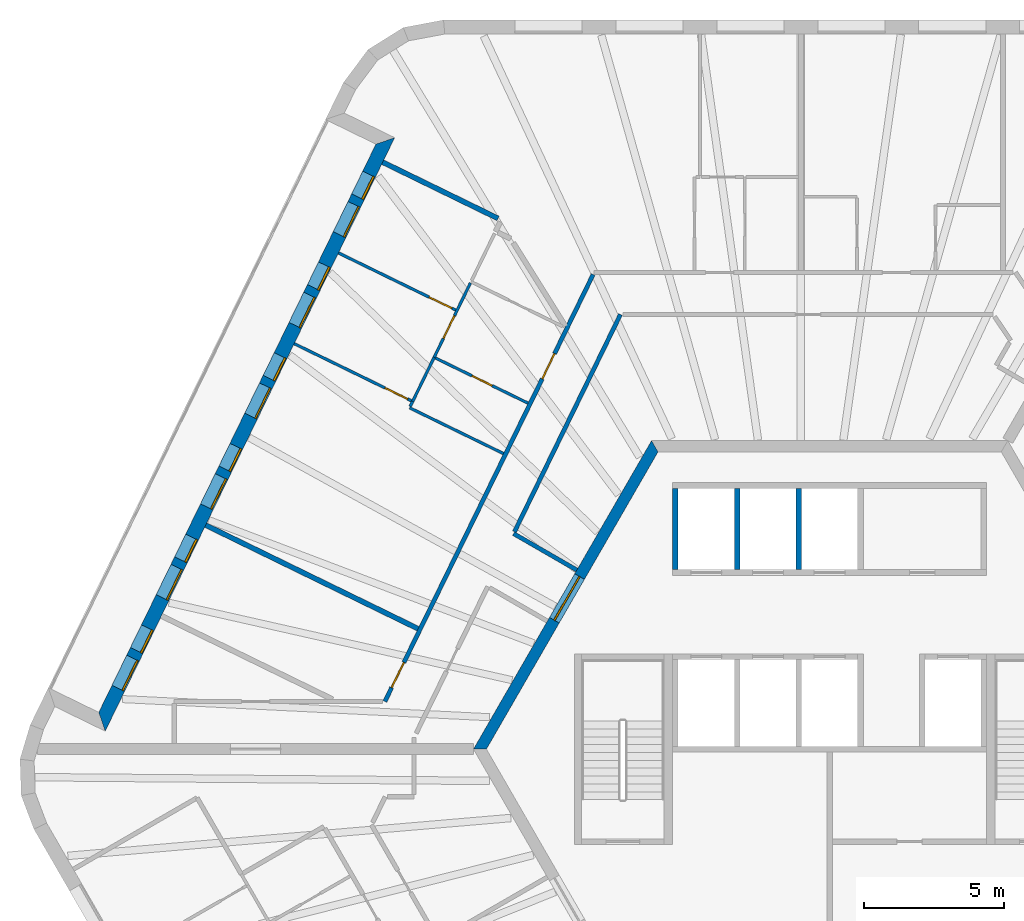
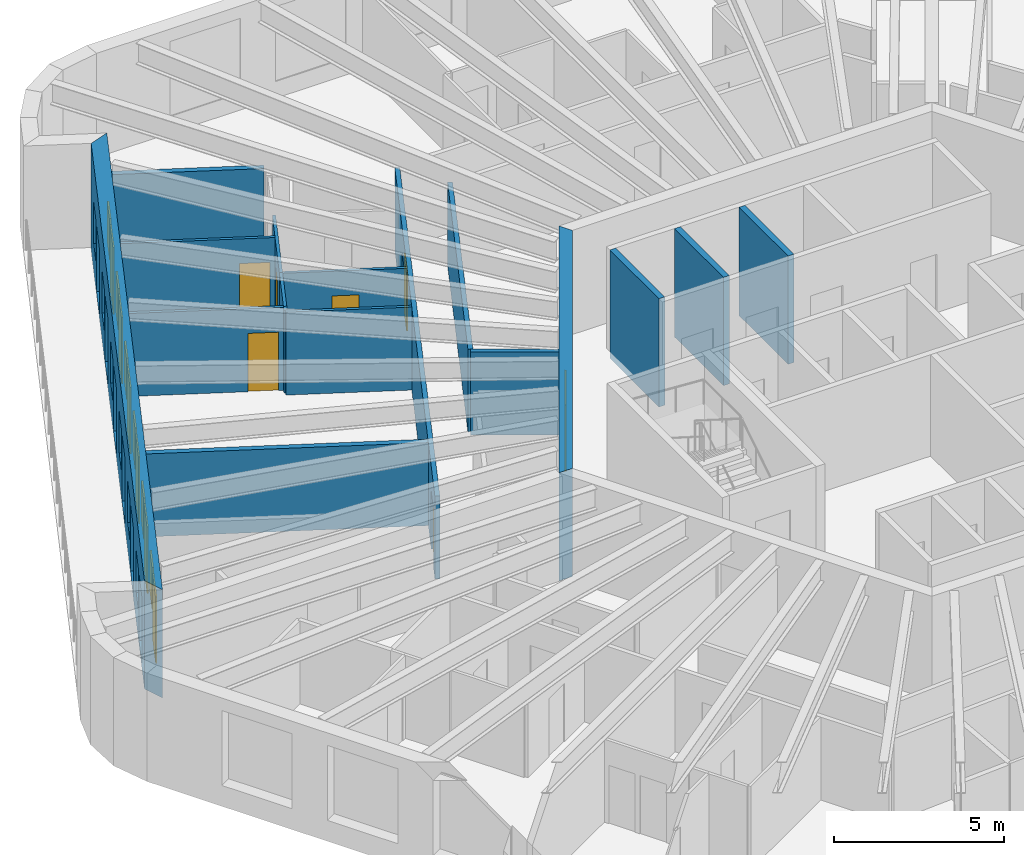
# One storey, part 8 of 12: 17 walls, 13 doors, 6 windows, 19 openings.
"""IFC4 building model written with IfcOpenShell, lengths in metres."""

import ifcopenshell
import ifcopenshell.guid

model = None  # the IFC model being written
_history = None  # IfcOwnerHistory: only IFC2X3 demands one
_inside = {}  # id of a spatial element -> (the spatial element, [elements in it])
_under = {}  # id of a project, library or spatial element -> (it, [spatial elements below it])
_declared = {}  # id of a project -> (the project, [libraries it declares])
_typed = {}  # id of a type object -> (the type object, [elements of that type])
_made_of = {}  # id of a material, layer set ... -> (it, [elements and type objects made of it])


def new_model(schema):
    """Start an empty IFC model of exactly this schema.

    Asked for "IFC4X3", IfcOpenShell would pick the latest addendum, in which some entities
    have other attributes; the version numbers below select the first issue.
    IFC2X3 requires an IfcOwnerHistory on every rooted entity: one is made here for all.
    """
    global model, _history
    if schema == "IFC4X3":
        model = ifcopenshell.file(schema_version=(4, 3, 0, 0))
    else:
        model = ifcopenshell.file(schema=schema)
    _inside.clear()
    _under.clear()
    _declared.clear()
    _typed.clear()
    _made_of.clear()
    _history = None
    if model.schema == "IFC2X3":
        org = make("IfcOrganization", Name="unknown")
        user = make(
            "IfcPersonAndOrganization",
            ThePerson=make("IfcPerson", FamilyName="unknown"),
            TheOrganization=org,
        )
        app = make(
            "IfcApplication",
            ApplicationDeveloper=org,
            Version="unknown",
            ApplicationFullName="unknown",
            ApplicationIdentifier="unknown",
        )
        _history = make(
            "IfcOwnerHistory",
            OwningUser=user,
            OwningApplication=app,
            ChangeAction="ADDED",
            CreationDate=0,
        )
    return model


def make(cls, **values):
    """One entity of the class cls with the attributes given. An attribute that is None is left unset."""
    return model.create_entity(
        cls, **{name: value for name, value in values.items() if value is not None}
    )


def rooted(cls, **values):
    """An entity with a GlobalId (a new one), such as an element, a storey or a relation."""
    return make(cls, GlobalId=ifcopenshell.guid.new(), OwnerHistory=_history, **values)


def si_unit(unit_type, name, prefix=None):
    """IfcSIUnit, for example si_unit("LENGTHUNIT", "METRE", prefix="MILLI")."""
    return make("IfcSIUnit", UnitType=unit_type, Prefix=prefix, Name=name)


def assignment(units):
    """IfcUnitAssignment: the units of a project."""
    return None if units is None else make("IfcUnitAssignment", Units=units)


def point(xyz):
    """IfcCartesianPoint."""
    return None if xyz is None else make("IfcCartesianPoint", Coordinates=xyz)


def direction(xyz):
    """IfcDirection."""
    return None if xyz is None else make("IfcDirection", DirectionRatios=xyz)


def frame(location, z_axis=None, x_axis=None):
    """IfcAxis2Placement3D, a coordinate frame: its origin and axes. An axis left out is left unset."""
    return make(
        "IfcAxis2Placement3D",
        Location=point(location),
        Axis=direction(z_axis),
        RefDirection=direction(x_axis),
    )


def frame_2d(location, x_axis=None):
    """IfcAxis2Placement2D, a coordinate frame in the plane: its origin and x axis."""
    return make(
        "IfcAxis2Placement2D", Location=point(location), RefDirection=direction(x_axis)
    )


def origin():
    """The frame at (0, 0, 0) with its axes left unset."""
    return frame((0.0, 0.0, 0.0))


def place(relative_to, where):
    """IfcLocalPlacement: puts the frame where relative to a parent placement (None: the world)."""
    return make(
        "IfcLocalPlacement", PlacementRelTo=relative_to, RelativePlacement=where
    )


def context(
    kind, dimensions, precision=None, world=None, true_north=None, identifier=None
):
    """IfcGeometricRepresentationContext, for example the 3D "Model" context."""
    return make(
        "IfcGeometricRepresentationContext",
        ContextIdentifier=identifier,
        ContextType=kind,
        CoordinateSpaceDimension=dimensions,
        Precision=precision,
        WorldCoordinateSystem=world,
        TrueNorth=true_north,
    )


def subcontext(parent, identifier, kind, view, scale=None):
    """IfcGeometricRepresentationSubContext, for example "Body" below "Model"."""
    return make(
        "IfcGeometricRepresentationSubContext",
        ContextIdentifier=identifier,
        ContextType=kind,
        ParentContext=parent,
        TargetScale=scale,
        TargetView=view,
    )


def project(units=None, contexts=None):
    """IfcProject with its units and contexts."""
    return rooted(
        "IfcProject",
        Name="project",
        RepresentationContexts=contexts,
        UnitsInContext=assignment(units),
    )


def spatial(cls, under=None, at=None, **own):
    """A site, building, storey or space (cls), placed at a placement, below another one or the project."""
    s = rooted(cls, ObjectPlacement=at, **own)
    if under is not None:
        _under.setdefault(under.id(), (under, []))[1].append(s)
    return s


def polyline(points):
    """IfcPolyline through the points."""
    return make("IfcPolyline", Points=[point(p) for p in points])


def profile(cls, at=None, kind="AREA", **sizes):
    """A parametric profile (cls). Its sizes go by their IFC names, for example OverallWidth=200.0."""
    return make(cls, ProfileType=kind, Position=at, **sizes)


def rectangle(**sizes):
    """IfcRectangleProfileDef."""
    return profile("IfcRectangleProfileDef", **sizes)


def outline(outer, holes=None, kind="AREA"):
    """IfcArbitraryClosedProfileDef: a profile drawn as a closed curve; with holes, ...WithVoids."""
    if holes is None:
        return make("IfcArbitraryClosedProfileDef", ProfileType=kind, OuterCurve=outer)
    return make(
        "IfcArbitraryProfileDefWithVoids",
        ProfileType=kind,
        OuterCurve=outer,
        InnerCurves=holes,
    )


def extrude(swept, where, along, depth):
    """IfcExtrudedAreaSolid: the profile swept, set in the frame where, extruded along a direction by depth."""
    return make(
        "IfcExtrudedAreaSolid",
        SweptArea=swept,
        Position=where,
        ExtrudedDirection=direction(along),
        Depth=depth,
    )


def shape(context_of_items, identifier, shape_type, items):
    """IfcShapeRepresentation: the items that make up one representation, for example the "Body"."""
    return make(
        "IfcShapeRepresentation",
        ContextOfItems=context_of_items,
        RepresentationIdentifier=identifier,
        RepresentationType=shape_type,
        Items=items,
    )


def material(Name=None, Category=None):
    """IfcMaterial."""
    return make("IfcMaterial", Name=Name, Category=Category)


def layer(
    of_material, thickness, ventilated=None, Name=None, Category=None, Priority=None
):
    """IfcMaterialLayer: one layer of a wall or slab, of a material (None: an air gap)."""
    return make(
        "IfcMaterialLayer",
        Material=of_material,
        LayerThickness=thickness,
        IsVentilated=ventilated,
        Name=Name,
        Category=Category,
        Priority=Priority,
    )


def layer_set(layers, Name=None):
    """IfcMaterialLayerSet."""
    return make("IfcMaterialLayerSet", MaterialLayers=layers, LayerSetName=Name)


def made_of(thing, what):
    """Note that an element or type object is made of a material, layer set ...; save() writes the relation."""
    if what is not None:
        _made_of.setdefault(what.id(), (what, []))[1].append(thing)
    return thing


def type_object(cls, material=None, **own):
    """A type object (cls), such as IfcWallType, which elements share."""
    return made_of(rooted(cls, **own), material)


def element(
    cls,
    number,
    at=None,
    inside=None,
    cuts=None,
    type_object=None,
    material=None,
    context=None,
    identifier="Body",
    shape_type=None,
    held_by="IfcProductDefinitionShape",
    body=None,
    shapes=None,
    **own,
):
    """One element of the class cls, such as IfcWall. Its Tag is "e" and its number.

    at: its placement. inside: the storey or other place that contains it. cuts: it is an
    opening in that element (IfcRelVoidsElement). A single representation is given by context,
    identifier, shape_type and body (its items); several are given by shapes. held_by: the class
    of the entity that holds the representations. save() writes the other relations.
    """
    e = rooted(cls, Tag="e%d" % number, ObjectPlacement=at, **own)
    if body is not None:
        shapes = [shape(context, identifier, shape_type, body)]
    if shapes is not None:
        e.Representation = make(held_by, Representations=shapes)
    if inside is not None:
        _inside.setdefault(inside.id(), (inside, []))[1].append(e)
    if cuts is not None:
        rooted(
            "IfcRelVoidsElement", RelatingBuildingElement=cuts, RelatedOpeningElement=e
        )
    if type_object is not None:
        _typed.setdefault(type_object.id(), (type_object, []))[1].append(e)
    return made_of(e, material)


def fill(opening, filler):
    """IfcRelFillsElement: the door or window that sits in an opening."""
    return rooted(
        "IfcRelFillsElement",
        RelatingOpeningElement=opening,
        RelatedBuildingElement=filler,
    )


def aggregate(whole, parts):
    """IfcRelAggregates: a whole, such as a stair, and the parts it consists of."""
    return rooted("IfcRelAggregates", RelatingObject=whole, RelatedObjects=parts)


def save(model, path):
    """Write the relations noted so far, then the file.

    IfcRelAggregates (storeys below a building ...), IfcRelContainedInSpatialStructure (elements
    in a storey), IfcRelDefinesByType, IfcRelAssociatesMaterial and IfcRelDeclares: one each for
    every whole, place, type object, material and project.
    """
    for whole, parts in _under.values():
        aggregate(whole, parts)
    for where, things in _inside.values():
        rooted(
            "IfcRelContainedInSpatialStructure",
            RelatedElements=things,
            RelatingStructure=where,
        )
    for kind, things in _typed.values():
        rooted("IfcRelDefinesByType", RelatedObjects=things, RelatingType=kind)
    for what, things in _made_of.values():
        rooted("IfcRelAssociatesMaterial", RelatedObjects=things, RelatingMaterial=what)
    for by, libraries in _declared.values():
        rooted("IfcRelDeclares", RelatingContext=by, RelatedDefinitions=libraries)
    model.write(path)


model = new_model("IFC4")

# Units and contexts
model_context = context("Model", 3, precision=1e-05, world=origin(), true_north=direction((0.0, 1.0)))
body_context = subcontext(model_context, "Body", "Model", "MODEL_VIEW")
ifc_project = project(units=[si_unit("LENGTHUNIT", "METRE"), si_unit("AREAUNIT", "SQUARE_METRE"), si_unit("VOLUMEUNIT", "CUBIC_METRE"), si_unit("PLANEANGLEUNIT", "RADIAN"), si_unit("MASSUNIT", "GRAM", prefix="KILO")], contexts=[model_context])

# Site, building, storey
site_placement = place(None, origin())
site = spatial("IfcSite", under=ifc_project, at=site_placement, CompositionType="ELEMENT")
building_placement = place(site_placement, origin())
building = spatial("IfcBuilding", under=site, at=building_placement, Name="Tarnside Tower", CompositionType="ELEMENT")
storey_placement = place(building_placement, frame((0.0, 0.0, 295.199951171875)))
storey = spatial("IfcBuildingStorey", under=building, at=storey_placement, Name="L71", CompositionType="ELEMENT", Elevation=295.199951171875)

# Walls
ifc_material_1 = material(Name="Gypsum board partition on steel studs", Category="steel")
ifc_layer_1 = layer(ifc_material_1, 0.10009765625)
ifc_layer_set_1 = layer_set([ifc_layer_1], Name="Bathroom wall 100")
wall_type_1 = type_object("IfcWallType", Name="Bathroom wall 100", PredefinedType="PARTITIONING", material=ifc_layer_set_1)
wall_1_placement = place(storey_placement, frame((-11.63232421875, 10.538818359375, 0.0), z_axis=(0.0, 0.0, 1.0), x_axis=(-0.898775374511, 0.438409427558, 0.0)))
element("IfcWall", 1, at=wall_1_placement, inside=storey, type_object=wall_type_1, Name="Bathroom wall 23100", PredefinedType="PARTITIONING", context=body_context, shape_type="SweptSolid", body=[
    extrude(rectangle(XDim=3.724853515625, YDim=0.10009765625, at=frame_2d((1.8623046875, 0.0))), origin(), (0.0, 0.0, 1.0), 2.98779296875),
])
wall_2_placement = place(storey_placement, frame((-14.95849609375, 12.216796875, 0.0), z_axis=(0.0, 0.0, 1.0), x_axis=(0.438565276448, 0.898699336983, 0.0)))
element("IfcWall", 2, at=wall_2_placement, inside=storey, type_object=wall_type_1, Name="Bathroom wall 23101", PredefinedType="PARTITIONING", context=body_context, shape_type="SweptSolid", body=[
    extrude(rectangle(XDim=0.203857421875, YDim=0.10009765625, at=frame_2d((0.10205078125, 0.0))), origin(), (0.0, 0.0, 1.0), 2.98779296875),
])

# Wall, opening, door
wall_3_placement = place(storey_placement, frame((-14.103515625, 13.969482421875, 0.0), z_axis=(0.0, 0.0, 1.0), x_axis=(0.898775374511, -0.438409427558, 0.0)))
wall_3 = element("IfcWall", 3, at=wall_3_placement, inside=storey, type_object=wall_type_1, Name="Bathroom wall 23104", PredefinedType="PARTITIONING", context=body_context, shape_type="SweptSolid", body=[
    extrude(rectangle(XDim=3.724853515625, YDim=0.10009765625, at=frame_2d((1.8623046875, 0.0))), origin(), (0.0, 0.0, 1.0), 2.98779296875),
])
opening_1_placement = place(wall_3_placement, frame((1.5, 0.0, 0.0)))
opening_1 = element("IfcOpeningElement", 4, at=opening_1_placement, cuts=wall_3, Name="Opening D-B1", PredefinedType="OPENING", context=body_context, shape_type="SweptSolid", body=[
    extrude(rectangle(XDim=0.800048828125, YDim=2.10009765625, at=frame_2d((0.39990234375, 1.050048828125))), frame((0.0, 0.06005859375, 0.0), z_axis=(0.0, -1.0, 0.0), x_axis=(1.0, 0.0, 0.0)), (0.0, 0.0, 1.0), 0.1201171875),
])
ifc_material_2 = material(Name="Timber door leaf", Category="wood")
door_type_1 = type_object("IfcDoorType", Name="Bathroom door 800", OperationType="NOTDEFINED", PredefinedType="DOOR", material=ifc_material_2)
door_1_placement = place(opening_1_placement, origin())
door_1 = element("IfcDoor", 5, at=door_1_placement, inside=storey, type_object=door_type_1, Name="Bathroom door 23010", OperationType="SINGLE_SWING_LEFT", OverallHeight=2.10009765625, OverallWidth=0.800048828125, PredefinedType="DOOR", context=body_context, shape_type="SweptSolid", body=[
    extrude(rectangle(XDim=0.800048828125, YDim=2.10009765625, at=frame_2d((0.39990234375, 1.050048828125))), frame((0.0, 0.02490234375, 0.0), z_axis=(0.0, -1.0, 0.0), x_axis=(1.0, 0.0, 0.0)), (0.0, 0.0, 1.0), 0.050048828125),
])
fill(opening_1, door_1)

# Wall
wall_4_placement = place(storey_placement, frame((-14.102783203125, 13.97119140625, 0.0), z_axis=(0.0, 0.0, 1.0), x_axis=(-0.43826423199, -0.89884618426, 0.0)))
element("IfcWall", 6, at=wall_4_placement, inside=storey, type_object=wall_type_1, Name="Bathroom wall 23108", PredefinedType="PARTITIONING", context=body_context, shape_type="SweptSolid", body=[
    extrude(rectangle(XDim=1.750244140625, YDim=0.10009765625, at=frame_2d((0.875, 0.0))), origin(), (0.0, 0.0, 1.0), 2.98779296875),
])

# Wall, opening, door
ifc_material_3 = material(Name="Concrete C60/75", Category="concrete")
ifc_layer_2 = layer(ifc_material_3, 0.39990234375)
ifc_layer_set_2 = layer_set([ifc_layer_2], Name="Core wall Z3 400 C60/75")
wall_type_2 = type_object("IfcWallType", Name="Core wall Z3 400 C60/75", PredefinedType="SHEAR", material=ifc_layer_set_2)
wall_5_placement = place(storey_placement, frame((-6.2353515625, 10.800048828125, -0.14990234375), z_axis=(0.0, 0.0, 1.0), x_axis=(-0.499996419489, -0.866027470984, 0.0)))
wall_5 = element("IfcWall", 7, at=wall_5_placement, inside=storey, type_object=wall_type_2, Name="L71 core wall face 2", PredefinedType="SHEAR", context=body_context, shape_type="SweptSolid", body=[
    extrude(outline(polyline([(-0.115478515625, -0.199951171875), (12.586181640625, -0.199951171875), (12.355224609375, 0.199951171875), (0.115478515625, 0.199951171875), (-0.115478515625, -0.199951171875)])), origin(), (0.0, 0.0, 1.0), 3.89990234375),
])
opening_2_placement = place(wall_5_placement, frame((5.3642578125, 0.0, 0.14990234375)))
opening_2 = element("IfcOpeningElement", 8, at=opening_2_placement, cuts=wall_5, Name="Opening CD-LOB", PredefinedType="OPENING", context=body_context, shape_type="SweptSolid", body=[
    extrude(rectangle(XDim=1.800048828125, YDim=2.39990234375, at=frame_2d((0.89990234375, 1.199951171875))), frame((0.0, 0.2099609375, 0.0), z_axis=(0.0, -1.0, 0.0), x_axis=(1.0, 0.0, 0.0)), (0.0, 0.0, 1.0), 0.419921875),
])
ifc_material_4 = material(Name="Steel fire door", Category="steel")
door_type_2 = type_object("IfcDoorType", Name="Lobby double door FD30S 1800x2400", OperationType="NOTDEFINED", PredefinedType="DOOR", material=ifc_material_4)
door_2_placement = place(opening_2_placement, origin())
door_2 = element("IfcDoor", 9, at=door_2_placement, inside=storey, type_object=door_type_2, Name="L71 core door P1", OperationType="DOUBLE_DOOR_SINGLE_SWING", OverallHeight=2.39990234375, OverallWidth=1.800048828125, PredefinedType="DOOR", context=body_context, shape_type="SweptSolid", body=[
    extrude(rectangle(XDim=1.800048828125, YDim=2.39990234375, at=frame_2d((0.89990234375, 1.199951171875))), frame((0.0, 0.02490234375, 0.0), z_axis=(0.0, -1.0, 0.0), x_axis=(1.0, 0.0, 0.0)), (0.0, 0.0, 1.0), 0.050048828125),
])
fill(opening_2, door_2)

# Wall, openings, doors
ifc_layer_3 = layer(ifc_material_1, 0.14990234375)
ifc_layer_set_3 = layer_set([ifc_layer_3], Name="Corridor wall 150 EI 60")
wall_type_3 = type_object("IfcWallType", Name="Corridor wall 150 EI 60", PredefinedType="PARTITIONING", material=ifc_layer_set_3)
wall_6_placement = place(storey_placement, frame((-8.43408203125, 16.925048828125, 0.0), z_axis=(0.0, 0.0, 1.0), x_axis=(-0.438371383278, -0.898793930956, 0.0)))
wall_6 = element("IfcWall", 10, at=wall_6_placement, inside=storey, type_object=wall_type_3, Name="Corridor wall 23009", PredefinedType="PARTITIONING", context=body_context, shape_type="SweptSolid", body=[
    extrude(rectangle(XDim=16.939453125, YDim=0.14990234375, at=frame_2d((8.4697265625, 0.0))), origin(), (0.0, 0.0, 1.0), 2.98779296875),
])
opening_3_placement = place(wall_6_placement, frame((3.141845703125, 0.0, 0.0)))
opening_3 = element("IfcOpeningElement", 11, at=opening_3_placement, cuts=wall_6, Name="Opening D-E1", PredefinedType="OPENING", context=body_context, shape_type="SweptSolid", body=[
    extrude(rectangle(XDim=1.0, YDim=2.10009765625, at=frame_2d((0.5, 1.050048828125))), frame((0.0, 0.0849609375, 0.0), z_axis=(0.0, -1.0, 0.0), x_axis=(1.0, 0.0, 0.0)), (0.0, 0.0, 1.0), 0.169921875),
])
opening_4_placement = place(wall_6_placement, frame((15.39013671875, 0.0, 0.0)))
opening_4 = element("IfcOpeningElement", 12, at=opening_4_placement, cuts=wall_6, Name="Opening D-E1", PredefinedType="OPENING", context=body_context, shape_type="SweptSolid", body=[
    extrude(rectangle(XDim=1.0, YDim=2.10009765625, at=frame_2d((0.5, 1.050048828125))), frame((0.0, 0.0849609375, 0.0), z_axis=(0.0, -1.0, 0.0), x_axis=(1.0, 0.0, 0.0)), (0.0, 0.0, 1.0), 0.169921875),
])
door_type_3 = type_object("IfcDoorType", Name="Unit entrance door 1000 FD30S", OperationType="NOTDEFINED", PredefinedType="DOOR", material=ifc_material_2)
door_3_placement = place(opening_3_placement, origin())
door_3 = element("IfcDoor", 13, at=door_3_placement, inside=storey, type_object=door_type_3, Name="Unit door 23009", OperationType="SINGLE_SWING_LEFT", OverallHeight=2.10009765625, OverallWidth=1.0, PredefinedType="DOOR", context=body_context, shape_type="SweptSolid", body=[
    extrude(rectangle(XDim=1.0, YDim=2.10009765625, at=frame_2d((0.5, 1.050048828125))), frame((0.0, 0.02490234375, 0.0), z_axis=(0.0, -1.0, 0.0), x_axis=(1.0, 0.0, 0.0)), (0.0, 0.0, 1.0), 0.050048828125),
])
fill(opening_3, door_3)
door_4_placement = place(opening_4_placement, origin())
door_4 = element("IfcDoor", 14, at=door_4_placement, inside=storey, type_object=door_type_3, Name="Unit door 23020", OperationType="SINGLE_SWING_LEFT", OverallHeight=2.10009765625, OverallWidth=1.0, PredefinedType="DOOR", context=body_context, shape_type="SweptSolid", body=[
    extrude(rectangle(XDim=1.0, YDim=2.10009765625, at=frame_2d((0.5, 1.050048828125))), frame((0.0, 0.02490234375, 0.0), z_axis=(0.0, -1.0, 0.0), x_axis=(1.0, 0.0, 0.0)), (0.0, 0.0, 1.0), 0.050048828125),
])
fill(opening_4, door_4)

# Walls
wall_7_placement = place(storey_placement, frame((-9.015625, 6.38427734375, 0.0), z_axis=(0.0, 0.0, 1.0), x_axis=(-0.866031051173, 0.499990218309, 0.0)))
element("IfcWall", 15, at=wall_7_placement, inside=storey, type_object=wall_type_3, Name="Corridor wall 23019", PredefinedType="PARTITIONING", context=body_context, shape_type="SweptSolid", body=[
    extrude(rectangle(XDim=2.6044921875, YDim=0.14990234375, at=frame_2d((1.30224609375, 0.0))), origin(), (0.0, 0.0, 1.0), 2.98779296875),
])
wall_8_placement = place(storey_placement, frame((-11.23828125, 7.754150390625, 0.0), z_axis=(0.0, 0.0, 1.0), x_axis=(0.438387352899, 0.89878614187, 0.0)))
element("IfcWall", 16, at=wall_8_placement, inside=storey, type_object=wall_type_3, Name="Corridor wall 23020", PredefinedType="PARTITIONING", context=body_context, shape_type="SweptSolid", body=[
    extrude(rectangle(XDim=8.6181640625, YDim=0.14990234375, at=frame_2d((4.30908203125, 0.0))), origin(), (0.0, 0.0, 1.0), 2.98779296875),
])
ifc_layer_4 = layer(ifc_material_1, 0.179931640625)
ifc_layer_set_4 = layer_set([ifc_layer_4], Name="Demising wall 180 EI 60")
wall_type_4 = type_object("IfcWallType", Name="Demising wall 180 EI 60", PredefinedType="PARTITIONING", material=ifc_layer_set_4)
wall_9_placement = place(storey_placement, frame((-15.93798828125, 20.9296875, 0.0), z_axis=(0.0, 0.0, 1.0), x_axis=(0.898800744024, -0.438357414153, 0.0)))
element("IfcWall", 17, at=wall_9_placement, inside=storey, type_object=wall_type_4, Name="Demising wall 23093", PredefinedType="PARTITIONING", context=body_context, shape_type="SweptSolid", body=[
    extrude(rectangle(XDim=4.576416015625, YDim=0.179931640625, at=frame_2d((2.2880859375, 0.0))), origin(), (0.0, 0.0, 1.0), 2.98779296875),
])
wall_10_placement = place(storey_placement, frame((-22.25048828125, 7.987060546875, 0.0), z_axis=(0.0, 0.0, 1.0), x_axis=(0.898788496909, -0.438382524543, 0.0)))
element("IfcWall", 18, at=wall_10_placement, inside=storey, type_object=wall_type_4, Name="Demising wall 23103", PredefinedType="PARTITIONING", context=body_context, shape_type="SweptSolid", body=[
    extrude(rectangle(XDim=8.425048828125, YDim=0.179931640625, at=frame_2d((4.21240234375, 0.0))), origin(), (0.0, 0.0, 1.0), 2.98779296875),
])
ifc_material_5 = material(Name="Concrete C40/50", Category="concrete")
ifc_layer_5 = layer(ifc_material_5, 0.199951171875)
ifc_layer_set_5 = layer_set([ifc_layer_5], Name="Lift shaft wall 200 C40/50")
wall_type_5 = type_object("IfcWallType", Name="Lift shaft wall 200 C40/50", PredefinedType="SHEAR", material=ifc_layer_set_5)
for number, where, z_axis, x_axis, name in (
    (19, (-5.5, 6.39990234375, -0.25), (0.0, 0.0, 1.0), (0.0, 1.0, 0.0), "L71 lift shaft partition R11"),
    (20, (-3.300048828125, 6.39990234375, -0.25), (0.0, 0.0, 1.0), (0.0, 1.0, 0.0), "L71 lift shaft partition R12"),
    (21, (-1.10009765625, 6.39990234375, -0.25), (0.0, 0.0, 1.0), (0.0, 1.0, 0.0), "L71 lift shaft partition R13"),
):
    element("IfcWall", number, at=place(storey_placement, frame(where, z_axis=z_axis, x_axis=x_axis)), inside=storey, type_object=wall_type_5, Name=name, PredefinedType="SHEAR", context=body_context, shape_type="SweptSolid", body=[
        extrude(rectangle(XDim=2.900146484375, YDim=0.199951171875, at=frame_2d((1.4501953125, 0.0))), origin(), (0.0, 0.0, 1.0), 3.900146484375),
    ])

# Wall, openings, doors, windows
ifc_material_6 = material(Name="Dark zinc cladding")
ifc_layer_6 = layer(ifc_material_6, 0.10205078125)
ifc_material_7 = material(Name="Concrete C60/75 precast", Category="concrete")
ifc_layer_7 = layer(ifc_material_7, 0.298095703125)
ifc_material_8 = material(Name="Mineral wool insulation")
ifc_layer_8 = layer(ifc_material_8, 0.10009765625)
ifc_layer_set_6 = layer_set([ifc_layer_6, ifc_layer_7, ifc_layer_8], Name="Loggia wall 500 zinc faced")
wall_type_6 = type_object("IfcWallType", Name="Loggia wall 500 zinc faced", PredefinedType="SOLIDWALL", material=ifc_layer_set_6)
wall_11_placement = place(storey_placement, frame((-15.845947265625, 21.6884765625, -0.14990234375), z_axis=(0.0, 0.0, 1.0), x_axis=(-0.438377502627, -0.898790946322, 0.0)))
wall_11 = element("IfcWall", 22, at=wall_11_placement, inside=storey, type_object=wall_type_6, Name="Tube wall L71 F2 back 06", PredefinedType="SOLIDWALL", context=body_context, shape_type="SweptSolid", body=[
    extrude(outline(polyline([(0.25, -0.25), (22.794677734375, -0.25), (23.294677734375, 0.25), (-0.25, 0.25), (0.25, -0.25)])), origin(), (0.0, 0.0, 1.0), 3.89990234375),
])
opening_5_placement = place(wall_11_placement, frame((1.322509765625, 0.0, 1.050048828125)))
opening_5 = element("IfcOpeningElement", 23, at=opening_5_placement, cuts=wall_11, Name="Opening WL500", PredefinedType="OPENING", context=body_context, shape_type="SweptSolid", body=[
    extrude(rectangle(XDim=0.89990234375, YDim=1.5, at=frame_2d((0.449951171875, 0.75))), frame((0.0, 0.260009765625, 0.0), z_axis=(0.0, -1.0, 0.0), x_axis=(1.0, 0.0, 0.0)), (0.0, 0.0, 1.0), 0.52001953125),
])
opening_6_placement = place(wall_11_placement, frame((2.5224609375, 0.0, 0.14990234375)))
opening_6 = element("IfcOpeningElement", 24, at=opening_6_placement, cuts=wall_11, Name="Opening DB500", PredefinedType="OPENING", context=body_context, shape_type="SweptSolid", body=[
    extrude(rectangle(XDim=1.199951171875, YDim=2.39990234375, at=frame_2d((0.60009765625, 1.199951171875))), frame((0.0, 0.260009765625, 0.0), z_axis=(0.0, -1.0, 0.0), x_axis=(1.0, 0.0, 0.0)), (0.0, 0.0, 1.0), 0.52001953125),
])
opening_7_placement = place(wall_11_placement, frame((4.92236328125, 0.0, 1.050048828125)))
opening_7 = element("IfcOpeningElement", 25, at=opening_7_placement, cuts=wall_11, Name="Opening WL500", PredefinedType="OPENING", context=body_context, shape_type="SweptSolid", body=[
    extrude(rectangle(XDim=0.89990234375, YDim=1.5, at=frame_2d((0.449951171875, 0.75))), frame((0.0, 0.260009765625, 0.0), z_axis=(0.0, -1.0, 0.0), x_axis=(1.0, 0.0, 0.0)), (0.0, 0.0, 1.0), 0.52001953125),
])
opening_8_placement = place(wall_11_placement, frame((6.122314453125, 0.0, 0.14990234375)))
opening_8 = element("IfcOpeningElement", 26, at=opening_8_placement, cuts=wall_11, Name="Opening DB500", PredefinedType="OPENING", context=body_context, shape_type="SweptSolid", body=[
    extrude(rectangle(XDim=1.199951171875, YDim=2.39990234375, at=frame_2d((0.60009765625, 1.199951171875))), frame((0.0, 0.260009765625, 0.0), z_axis=(0.0, -1.0, 0.0), x_axis=(1.0, 0.0, 0.0)), (0.0, 0.0, 1.0), 0.52001953125),
])
opening_9_placement = place(wall_11_placement, frame((8.5224609375, 0.0, 1.050048828125)))
opening_9 = element("IfcOpeningElement", 27, at=opening_9_placement, cuts=wall_11, Name="Opening WL500", PredefinedType="OPENING", context=body_context, shape_type="SweptSolid", body=[
    extrude(rectangle(XDim=0.89990234375, YDim=1.5, at=frame_2d((0.449951171875, 0.75))), frame((0.0, 0.260009765625, 0.0), z_axis=(0.0, -1.0, 0.0), x_axis=(1.0, 0.0, 0.0)), (0.0, 0.0, 1.0), 0.52001953125),
])
opening_10_placement = place(wall_11_placement, frame((9.722412109375, 0.0, 0.14990234375)))
opening_10 = element("IfcOpeningElement", 28, at=opening_10_placement, cuts=wall_11, Name="Opening DB500", PredefinedType="OPENING", context=body_context, shape_type="SweptSolid", body=[
    extrude(rectangle(XDim=1.199951171875, YDim=2.39990234375, at=frame_2d((0.60009765625, 1.199951171875))), frame((0.0, 0.260009765625, 0.0), z_axis=(0.0, -1.0, 0.0), x_axis=(1.0, 0.0, 0.0)), (0.0, 0.0, 1.0), 0.52001953125),
])
opening_11_placement = place(wall_11_placement, frame((12.122314453125, 0.0, 1.050048828125)))
opening_11 = element("IfcOpeningElement", 29, at=opening_11_placement, cuts=wall_11, Name="Opening WL500", PredefinedType="OPENING", context=body_context, shape_type="SweptSolid", body=[
    extrude(rectangle(XDim=0.89990234375, YDim=1.5, at=frame_2d((0.449951171875, 0.75))), frame((0.0, 0.260009765625, 0.0), z_axis=(0.0, -1.0, 0.0), x_axis=(1.0, 0.0, 0.0)), (0.0, 0.0, 1.0), 0.52001953125),
])
opening_12_placement = place(wall_11_placement, frame((13.322509765625, 0.0, 0.14990234375)))
opening_12 = element("IfcOpeningElement", 30, at=opening_12_placement, cuts=wall_11, Name="Opening DB500", PredefinedType="OPENING", context=body_context, shape_type="SweptSolid", body=[
    extrude(rectangle(XDim=1.199951171875, YDim=2.39990234375, at=frame_2d((0.60009765625, 1.199951171875))), frame((0.0, 0.260009765625, 0.0), z_axis=(0.0, -1.0, 0.0), x_axis=(1.0, 0.0, 0.0)), (0.0, 0.0, 1.0), 0.52001953125),
])
opening_13_placement = place(wall_11_placement, frame((15.722412109375, 0.0, 1.050048828125)))
opening_13 = element("IfcOpeningElement", 31, at=opening_13_placement, cuts=wall_11, Name="Opening WL500", PredefinedType="OPENING", context=body_context, shape_type="SweptSolid", body=[
    extrude(rectangle(XDim=0.89990234375, YDim=1.5, at=frame_2d((0.449951171875, 0.75))), frame((0.0, 0.260009765625, 0.0), z_axis=(0.0, -1.0, 0.0), x_axis=(1.0, 0.0, 0.0)), (0.0, 0.0, 1.0), 0.52001953125),
])
opening_14_placement = place(wall_11_placement, frame((16.92236328125, 0.0, 0.14990234375)))
opening_14 = element("IfcOpeningElement", 32, at=opening_14_placement, cuts=wall_11, Name="Opening DB500", PredefinedType="OPENING", context=body_context, shape_type="SweptSolid", body=[
    extrude(rectangle(XDim=1.199951171875, YDim=2.39990234375, at=frame_2d((0.60009765625, 1.199951171875))), frame((0.0, 0.260009765625, 0.0), z_axis=(0.0, -1.0, 0.0), x_axis=(1.0, 0.0, 0.0)), (0.0, 0.0, 1.0), 0.52001953125),
])
opening_15_placement = place(wall_11_placement, frame((19.322509765625, 0.0, 1.050048828125)))
opening_15 = element("IfcOpeningElement", 33, at=opening_15_placement, cuts=wall_11, Name="Opening WL500", PredefinedType="OPENING", context=body_context, shape_type="SweptSolid", body=[
    extrude(rectangle(XDim=0.89990234375, YDim=1.5, at=frame_2d((0.449951171875, 0.75))), frame((0.0, 0.260009765625, 0.0), z_axis=(0.0, -1.0, 0.0), x_axis=(1.0, 0.0, 0.0)), (0.0, 0.0, 1.0), 0.52001953125),
])
opening_16_placement = place(wall_11_placement, frame((20.5224609375, 0.0, 0.14990234375)))
opening_16 = element("IfcOpeningElement", 34, at=opening_16_placement, cuts=wall_11, Name="Opening DB500", PredefinedType="OPENING", context=body_context, shape_type="SweptSolid", body=[
    extrude(rectangle(XDim=1.199951171875, YDim=2.39990234375, at=frame_2d((0.60009765625, 1.199951171875))), frame((0.0, 0.260009765625, 0.0), z_axis=(0.0, -1.0, 0.0), x_axis=(1.0, 0.0, 0.0)), (0.0, 0.0, 1.0), 0.52001953125),
])
ifc_material_9 = material(Name="Aluminium-framed double glazing", Category="aluminium")
door_type_4 = type_object("IfcDoorType", Name="Balcony sliding door 1200 x 2400 in 500 wall", OperationType="SLIDING_TO_LEFT", PredefinedType="DOOR", material=ifc_material_9)
door_5_placement = place(opening_6_placement, frame((0.0, 0.1748046875, 0.0)))
door_5 = element("IfcDoor", 35, at=door_5_placement, inside=storey, type_object=door_type_4, Name="E.BD.L71.F2.00", OperationType="SLIDING_TO_LEFT", OverallHeight=2.39990234375, OverallWidth=1.199951171875, PredefinedType="DOOR", context=body_context, shape_type="SweptSolid", body=[
    extrude(rectangle(XDim=1.199951171875, YDim=2.39990234375, at=frame_2d((0.60009765625, 1.199951171875))), frame((0.0, 0.02490234375, 0.0), z_axis=(0.0, -1.0, 0.0), x_axis=(1.0, 0.0, 0.0)), (0.0, 0.0, 1.0), 0.050048828125),
])
fill(opening_6, door_5)
door_6_placement = place(opening_8_placement, frame((0.0, 0.1748046875, 0.0)))
door_6 = element("IfcDoor", 36, at=door_6_placement, inside=storey, type_object=door_type_4, Name="E.BD.L71.F2.01", OperationType="SLIDING_TO_LEFT", OverallHeight=2.39990234375, OverallWidth=1.199951171875, PredefinedType="DOOR", context=body_context, shape_type="SweptSolid", body=[
    extrude(rectangle(XDim=1.199951171875, YDim=2.39990234375, at=frame_2d((0.60009765625, 1.199951171875))), frame((0.0, 0.02490234375, 0.0), z_axis=(0.0, -1.0, 0.0), x_axis=(1.0, 0.0, 0.0)), (0.0, 0.0, 1.0), 0.050048828125),
])
fill(opening_8, door_6)
door_7_placement = place(opening_10_placement, frame((0.0, 0.1748046875, 0.0)))
door_7 = element("IfcDoor", 37, at=door_7_placement, inside=storey, type_object=door_type_4, Name="E.BD.L71.F2.02", OperationType="SLIDING_TO_LEFT", OverallHeight=2.39990234375, OverallWidth=1.199951171875, PredefinedType="DOOR", context=body_context, shape_type="SweptSolid", body=[
    extrude(rectangle(XDim=1.199951171875, YDim=2.39990234375, at=frame_2d((0.60009765625, 1.199951171875))), frame((0.0, 0.02490234375, 0.0), z_axis=(0.0, -1.0, 0.0), x_axis=(1.0, 0.0, 0.0)), (0.0, 0.0, 1.0), 0.050048828125),
])
fill(opening_10, door_7)
door_8_placement = place(opening_12_placement, frame((0.0, 0.1748046875, 0.0)))
door_8 = element("IfcDoor", 38, at=door_8_placement, inside=storey, type_object=door_type_4, Name="E.BD.L71.F2.03", OperationType="SLIDING_TO_LEFT", OverallHeight=2.39990234375, OverallWidth=1.199951171875, PredefinedType="DOOR", context=body_context, shape_type="SweptSolid", body=[
    extrude(rectangle(XDim=1.199951171875, YDim=2.39990234375, at=frame_2d((0.60009765625, 1.199951171875))), frame((0.0, 0.02490234375, 0.0), z_axis=(0.0, -1.0, 0.0), x_axis=(1.0, 0.0, 0.0)), (0.0, 0.0, 1.0), 0.050048828125),
])
fill(opening_12, door_8)
door_9_placement = place(opening_14_placement, frame((0.0, 0.1748046875, 0.0)))
door_9 = element("IfcDoor", 39, at=door_9_placement, inside=storey, type_object=door_type_4, Name="E.BD.L71.F2.04", OperationType="SLIDING_TO_LEFT", OverallHeight=2.39990234375, OverallWidth=1.199951171875, PredefinedType="DOOR", context=body_context, shape_type="SweptSolid", body=[
    extrude(rectangle(XDim=1.199951171875, YDim=2.39990234375, at=frame_2d((0.60009765625, 1.199951171875))), frame((0.0, 0.02490234375, 0.0), z_axis=(0.0, -1.0, 0.0), x_axis=(1.0, 0.0, 0.0)), (0.0, 0.0, 1.0), 0.050048828125),
])
fill(opening_14, door_9)
door_10_placement = place(opening_16_placement, frame((0.0, 0.1748046875, 0.0)))
door_10 = element("IfcDoor", 40, at=door_10_placement, inside=storey, type_object=door_type_4, Name="E.BD.L71.F2.05", OperationType="SLIDING_TO_LEFT", OverallHeight=2.39990234375, OverallWidth=1.199951171875, PredefinedType="DOOR", context=body_context, shape_type="SweptSolid", body=[
    extrude(rectangle(XDim=1.199951171875, YDim=2.39990234375, at=frame_2d((0.60009765625, 1.199951171875))), frame((0.0, 0.02490234375, 0.0), z_axis=(0.0, -1.0, 0.0), x_axis=(1.0, 0.0, 0.0)), (0.0, 0.0, 1.0), 0.050048828125),
])
fill(opening_16, door_10)
window_type = type_object("IfcWindowType", Name="Loggia window 900 x 1500 in 500 wall", PartitioningType="SINGLE_PANEL", PredefinedType="WINDOW", material=ifc_material_9)
window_1_placement = place(opening_5_placement, frame((0.0, 0.179931640625, 0.0)))
window_1 = element("IfcWindow", 41, at=window_1_placement, inside=storey, type_object=window_type, Name="E.LW.L71.F2.00", OverallHeight=1.5, OverallWidth=0.89990234375, PartitioningType="SINGLE_PANEL", PredefinedType="WINDOW", context=body_context, shape_type="SweptSolid", body=[
    extrude(rectangle(XDim=0.89990234375, YDim=1.5, at=frame_2d((0.449951171875, 0.75))), frame((0.0, 0.030029296875, 0.0), z_axis=(0.0, -1.0, 0.0), x_axis=(1.0, 0.0, 0.0)), (0.0, 0.0, 1.0), 0.06005859375),
])
fill(opening_5, window_1)
window_2_placement = place(opening_7_placement, frame((0.0, 0.179931640625, 0.0)))
window_2 = element("IfcWindow", 42, at=window_2_placement, inside=storey, type_object=window_type, Name="E.LW.L71.F2.01", OverallHeight=1.5, OverallWidth=0.89990234375, PartitioningType="SINGLE_PANEL", PredefinedType="WINDOW", context=body_context, shape_type="SweptSolid", body=[
    extrude(rectangle(XDim=0.89990234375, YDim=1.5, at=frame_2d((0.449951171875, 0.75))), frame((0.0, 0.030029296875, 0.0), z_axis=(0.0, -1.0, 0.0), x_axis=(1.0, 0.0, 0.0)), (0.0, 0.0, 1.0), 0.06005859375),
])
fill(opening_7, window_2)
window_3_placement = place(opening_9_placement, frame((0.0, 0.179931640625, 0.0)))
window_3 = element("IfcWindow", 43, at=window_3_placement, inside=storey, type_object=window_type, Name="E.LW.L71.F2.02", OverallHeight=1.5, OverallWidth=0.89990234375, PartitioningType="SINGLE_PANEL", PredefinedType="WINDOW", context=body_context, shape_type="SweptSolid", body=[
    extrude(rectangle(XDim=0.89990234375, YDim=1.5, at=frame_2d((0.449951171875, 0.75))), frame((0.0, 0.030029296875, 0.0), z_axis=(0.0, -1.0, 0.0), x_axis=(1.0, 0.0, 0.0)), (0.0, 0.0, 1.0), 0.06005859375),
])
fill(opening_9, window_3)
window_4_placement = place(opening_11_placement, frame((0.0, 0.179931640625, 0.0)))
window_4 = element("IfcWindow", 44, at=window_4_placement, inside=storey, type_object=window_type, Name="E.LW.L71.F2.03", OverallHeight=1.5, OverallWidth=0.89990234375, PartitioningType="SINGLE_PANEL", PredefinedType="WINDOW", context=body_context, shape_type="SweptSolid", body=[
    extrude(rectangle(XDim=0.89990234375, YDim=1.5, at=frame_2d((0.449951171875, 0.75))), frame((0.0, 0.030029296875, 0.0), z_axis=(0.0, -1.0, 0.0), x_axis=(1.0, 0.0, 0.0)), (0.0, 0.0, 1.0), 0.06005859375),
])
fill(opening_11, window_4)
window_5_placement = place(opening_13_placement, frame((0.0, 0.179931640625, 0.0)))
window_5 = element("IfcWindow", 45, at=window_5_placement, inside=storey, type_object=window_type, Name="E.LW.L71.F2.04", OverallHeight=1.5, OverallWidth=0.89990234375, PartitioningType="SINGLE_PANEL", PredefinedType="WINDOW", context=body_context, shape_type="SweptSolid", body=[
    extrude(rectangle(XDim=0.89990234375, YDim=1.5, at=frame_2d((0.449951171875, 0.75))), frame((0.0, 0.030029296875, 0.0), z_axis=(0.0, -1.0, 0.0), x_axis=(1.0, 0.0, 0.0)), (0.0, 0.0, 1.0), 0.06005859375),
])
fill(opening_13, window_5)
window_6_placement = place(opening_15_placement, frame((0.0, 0.179931640625, 0.0)))
window_6 = element("IfcWindow", 46, at=window_6_placement, inside=storey, type_object=window_type, Name="E.LW.L71.F2.05", OverallHeight=1.5, OverallWidth=0.89990234375, PartitioningType="SINGLE_PANEL", PredefinedType="WINDOW", context=body_context, shape_type="SweptSolid", body=[
    extrude(rectangle(XDim=0.89990234375, YDim=1.5, at=frame_2d((0.449951171875, 0.75))), frame((0.0, 0.030029296875, 0.0), z_axis=(0.0, -1.0, 0.0), x_axis=(1.0, 0.0, 0.0)), (0.0, 0.0, 1.0), 0.06005859375),
])
fill(opening_15, window_6)

# Wall, opening, door
ifc_layer_9 = layer(ifc_material_1, 0.10009765625)
ifc_layer_set_7 = layer_set([ifc_layer_9], Name="Partition 100")
wall_type_7 = type_object("IfcWallType", Name="Partition 100", PredefinedType="PARTITIONING", material=ifc_layer_set_7)
wall_12_placement = place(storey_placement, frame((-14.9150390625, 12.419921875, 0.0), z_axis=(0.0, 0.0, 1.0), x_axis=(-0.898773491676, 0.438413287504, 0.0)))
wall_12 = element("IfcWall", 47, at=wall_12_placement, inside=storey, type_object=wall_type_7, Name="Partition wall 23102", PredefinedType="PARTITIONING", context=body_context, shape_type="SweptSolid", body=[
    extrude(rectangle(XDim=4.64990234375, YDim=0.10009765625, at=frame_2d((2.324951171875, 0.0))), origin(), (0.0, 0.0, 1.0), 2.98779296875),
])
opening_17_placement = place(wall_12_placement, frame((0.14990234375, 0.0, 0.0)))
opening_17 = element("IfcOpeningElement", 48, at=opening_17_placement, cuts=wall_12, Name="Opening D-I1", PredefinedType="OPENING", context=body_context, shape_type="SweptSolid", body=[
    extrude(rectangle(XDim=0.89990234375, YDim=2.10009765625, at=frame_2d((0.449951171875, 1.050048828125))), frame((0.0, 0.06005859375, 0.0), z_axis=(0.0, -1.0, 0.0), x_axis=(1.0, 0.0, 0.0)), (0.0, 0.0, 1.0), 0.1201171875),
])
door_type_5 = type_object("IfcDoorType", Name="Internal door 900", OperationType="NOTDEFINED", PredefinedType="DOOR", material=ifc_material_2)
door_11_placement = place(opening_17_placement, origin())
door_11 = element("IfcDoor", 49, at=door_11_placement, inside=storey, type_object=door_type_5, Name="Internal door 23018", OperationType="SINGLE_SWING_RIGHT", OverallHeight=2.10009765625, OverallWidth=0.89990234375, PredefinedType="DOOR", context=body_context, shape_type="SweptSolid", body=[
    extrude(rectangle(XDim=0.89990234375, YDim=2.10009765625, at=frame_2d((0.449951171875, 1.050048828125))), frame((0.0, 0.02490234375, 0.0), z_axis=(0.0, -1.0, 0.0), x_axis=(1.0, 0.0, 0.0)), (0.0, 0.0, 1.0), 0.050048828125),
])
fill(opening_17, door_11)

wall_13_placement = place(storey_placement, frame((-12.8095703125, 16.62255859375, 0.0), z_axis=(0.0, 0.0, 1.0), x_axis=(-0.438365010977, -0.898797038909, 0.0)))
wall_13 = element("IfcWall", 50, at=wall_13_placement, inside=storey, type_object=wall_type_7, Name="Partition wall 23105", PredefinedType="PARTITIONING", context=body_context, shape_type="SweptSolid", body=[
    extrude(rectangle(XDim=2.9541015625, YDim=0.10009765625, at=frame_2d((1.47705078125, 0.0))), origin(), (0.0, 0.0, 1.0), 2.98779296875),
])
opening_18_placement = place(wall_13_placement, frame((1.30029296875, 0.0, 0.0)))
opening_18 = element("IfcOpeningElement", 51, at=opening_18_placement, cuts=wall_13, Name="Opening D-I1", PredefinedType="OPENING", context=body_context, shape_type="SweptSolid", body=[
    extrude(rectangle(XDim=0.89990234375, YDim=2.10009765625, at=frame_2d((0.449951171875, 1.050048828125))), frame((0.0, 0.06005859375, 0.0), z_axis=(0.0, -1.0, 0.0), x_axis=(1.0, 0.0, 0.0)), (0.0, 0.0, 1.0), 0.1201171875),
])
door_12_placement = place(opening_18_placement, origin())
door_12 = element("IfcDoor", 52, at=door_12_placement, inside=storey, type_object=door_type_5, Name="Internal door 23013", OperationType="SINGLE_SWING_RIGHT", OverallHeight=2.10009765625, OverallWidth=0.89990234375, PredefinedType="DOOR", context=body_context, shape_type="SweptSolid", body=[
    extrude(rectangle(XDim=0.89990234375, YDim=2.10009765625, at=frame_2d((0.449951171875, 1.050048828125))), frame((0.0, 0.02490234375, 0.0), z_axis=(0.0, -1.0, 0.0), x_axis=(1.0, 0.0, 0.0)), (0.0, 0.0, 1.0), 0.050048828125),
])
fill(opening_18, door_12)

wall_14_placement = place(storey_placement, frame((-17.51611328125, 17.694091796875, 0.0), z_axis=(0.0, 0.0, 1.0), x_axis=(0.898783582669, -0.43839259976, 0.0)))
wall_14 = element("IfcWall", 53, at=wall_14_placement, inside=storey, type_object=wall_type_7, Name="Partition wall 23109", PredefinedType="PARTITIONING", context=body_context, shape_type="SweptSolid", body=[
    extrude(rectangle(XDim=4.650146484375, YDim=0.10009765625, at=frame_2d((2.3251953125, 0.0))), origin(), (0.0, 0.0, 1.0), 2.98779296875),
])
opening_19_placement = place(wall_14_placement, frame((3.60009765625, 0.0, 0.0)))
opening_19 = element("IfcOpeningElement", 54, at=opening_19_placement, cuts=wall_14, Name="Opening D-I1", PredefinedType="OPENING", context=body_context, shape_type="SweptSolid", body=[
    extrude(rectangle(XDim=0.89990234375, YDim=2.10009765625, at=frame_2d((0.449951171875, 1.050048828125))), frame((0.0, 0.06005859375, 0.0), z_axis=(0.0, -1.0, 0.0), x_axis=(1.0, 0.0, 0.0)), (0.0, 0.0, 1.0), 0.1201171875),
])
door_13_placement = place(opening_19_placement, origin())
door_13 = element("IfcDoor", 55, at=door_13_placement, inside=storey, type_object=door_type_5, Name="Internal door 23016", OperationType="SINGLE_SWING_RIGHT", OverallHeight=2.10009765625, OverallWidth=0.89990234375, PredefinedType="DOOR", context=body_context, shape_type="SweptSolid", body=[
    extrude(rectangle(XDim=0.89990234375, YDim=2.10009765625, at=frame_2d((0.449951171875, 1.050048828125))), frame((0.0, 0.02490234375, 0.0), z_axis=(0.0, -1.0, 0.0), x_axis=(1.0, 0.0, 0.0)), (0.0, 0.0, 1.0), 0.050048828125),
])
fill(opening_19, door_13)

save(model, "model.ifc")
